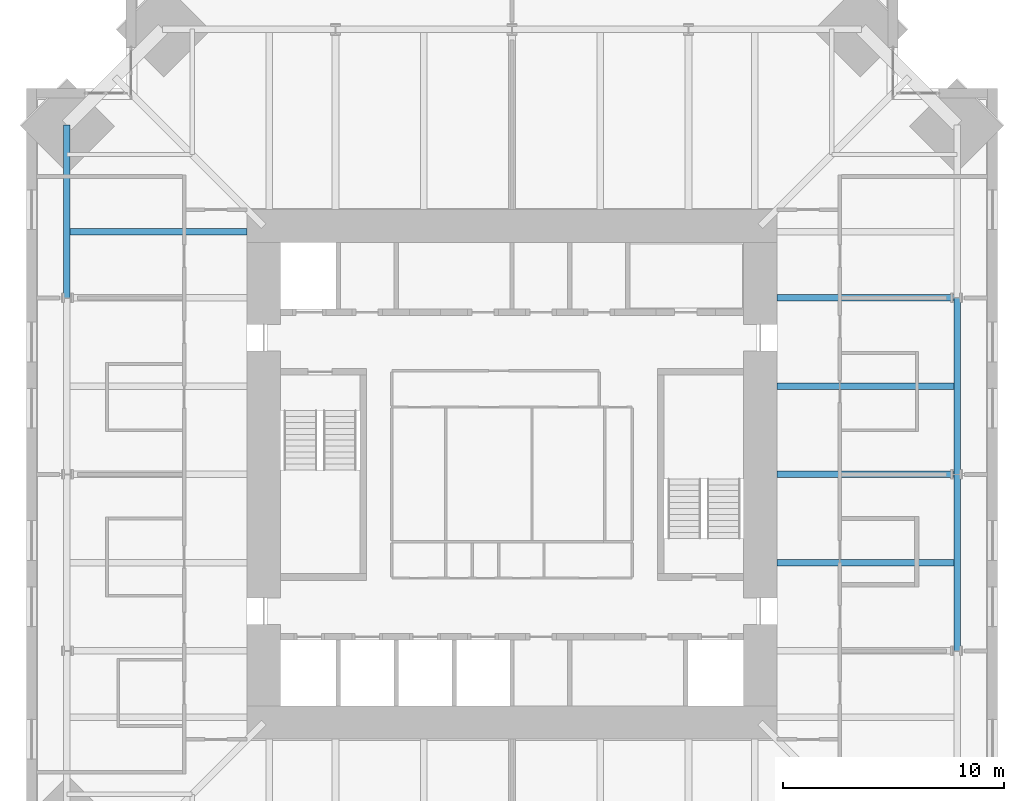
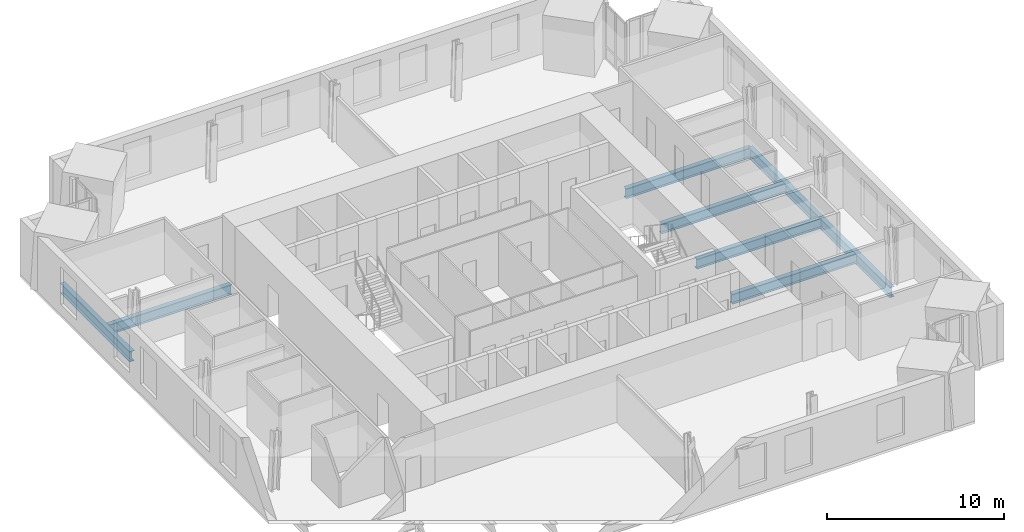
# One storey, part 5 of 16: 8 beams.
"""IFC4 building model written with IfcOpenShell, lengths in metres."""

import ifcopenshell
import ifcopenshell.guid

model = None  # the IFC model being written
_history = None  # IfcOwnerHistory: only IFC2X3 demands one
_inside = {}  # id of a spatial element -> (the spatial element, [elements in it])
_under = {}  # id of a project, library or spatial element -> (it, [spatial elements below it])
_declared = {}  # id of a project -> (the project, [libraries it declares])
_typed = {}  # id of a type object -> (the type object, [elements of that type])
_made_of = {}  # id of a material, layer set ... -> (it, [elements and type objects made of it])


def new_model(schema):
    """Start an empty IFC model of exactly this schema.

    Asked for "IFC4X3", IfcOpenShell would pick the latest addendum, in which some entities
    have other attributes; the version numbers below select the first issue.
    IFC2X3 requires an IfcOwnerHistory on every rooted entity: one is made here for all.
    """
    global model, _history
    if schema == "IFC4X3":
        model = ifcopenshell.file(schema_version=(4, 3, 0, 0))
    else:
        model = ifcopenshell.file(schema=schema)
    _inside.clear()
    _under.clear()
    _declared.clear()
    _typed.clear()
    _made_of.clear()
    _history = None
    if model.schema == "IFC2X3":
        org = make("IfcOrganization", Name="unknown")
        user = make(
            "IfcPersonAndOrganization",
            ThePerson=make("IfcPerson", FamilyName="unknown"),
            TheOrganization=org,
        )
        app = make(
            "IfcApplication",
            ApplicationDeveloper=org,
            Version="unknown",
            ApplicationFullName="unknown",
            ApplicationIdentifier="unknown",
        )
        _history = make(
            "IfcOwnerHistory",
            OwningUser=user,
            OwningApplication=app,
            ChangeAction="ADDED",
            CreationDate=0,
        )
    return model


def make(cls, **values):
    """One entity of the class cls with the attributes given. An attribute that is None is left unset."""
    return model.create_entity(
        cls, **{name: value for name, value in values.items() if value is not None}
    )


def rooted(cls, **values):
    """An entity with a GlobalId (a new one), such as an element, a storey or a relation."""
    return make(cls, GlobalId=ifcopenshell.guid.new(), OwnerHistory=_history, **values)


def si_unit(unit_type, name, prefix=None):
    """IfcSIUnit, for example si_unit("LENGTHUNIT", "METRE", prefix="MILLI")."""
    return make("IfcSIUnit", UnitType=unit_type, Prefix=prefix, Name=name)


def assignment(units):
    """IfcUnitAssignment: the units of a project."""
    return None if units is None else make("IfcUnitAssignment", Units=units)


def point(xyz):
    """IfcCartesianPoint."""
    return None if xyz is None else make("IfcCartesianPoint", Coordinates=xyz)


def direction(xyz):
    """IfcDirection."""
    return None if xyz is None else make("IfcDirection", DirectionRatios=xyz)


def frame(location, z_axis=None, x_axis=None):
    """IfcAxis2Placement3D, a coordinate frame: its origin and axes. An axis left out is left unset."""
    return make(
        "IfcAxis2Placement3D",
        Location=point(location),
        Axis=direction(z_axis),
        RefDirection=direction(x_axis),
    )


def frame_2d(location, x_axis=None):
    """IfcAxis2Placement2D, a coordinate frame in the plane: its origin and x axis."""
    return make(
        "IfcAxis2Placement2D", Location=point(location), RefDirection=direction(x_axis)
    )


def origin():
    """The frame at (0, 0, 0) with its axes left unset."""
    return frame((0.0, 0.0, 0.0))


def origin_2d():
    """The frame at (0, 0) in the plane with its x axis left unset."""
    return frame_2d((0.0, 0.0))


def place(relative_to, where):
    """IfcLocalPlacement: puts the frame where relative to a parent placement (None: the world)."""
    return make(
        "IfcLocalPlacement", PlacementRelTo=relative_to, RelativePlacement=where
    )


def context(
    kind, dimensions, precision=None, world=None, true_north=None, identifier=None
):
    """IfcGeometricRepresentationContext, for example the 3D "Model" context."""
    return make(
        "IfcGeometricRepresentationContext",
        ContextIdentifier=identifier,
        ContextType=kind,
        CoordinateSpaceDimension=dimensions,
        Precision=precision,
        WorldCoordinateSystem=world,
        TrueNorth=true_north,
    )


def subcontext(parent, identifier, kind, view, scale=None):
    """IfcGeometricRepresentationSubContext, for example "Body" below "Model"."""
    return make(
        "IfcGeometricRepresentationSubContext",
        ContextIdentifier=identifier,
        ContextType=kind,
        ParentContext=parent,
        TargetScale=scale,
        TargetView=view,
    )


def project(units=None, contexts=None):
    """IfcProject with its units and contexts."""
    return rooted(
        "IfcProject",
        Name="project",
        RepresentationContexts=contexts,
        UnitsInContext=assignment(units),
    )


def spatial(cls, under=None, at=None, **own):
    """A site, building, storey or space (cls), placed at a placement, below another one or the project."""
    s = rooted(cls, ObjectPlacement=at, **own)
    if under is not None:
        _under.setdefault(under.id(), (under, []))[1].append(s)
    return s


def profile(cls, at=None, kind="AREA", **sizes):
    """A parametric profile (cls). Its sizes go by their IFC names, for example OverallWidth=200.0."""
    return make(cls, ProfileType=kind, Position=at, **sizes)


def i_section(**sizes):
    """IfcIShapeProfileDef."""
    return profile("IfcIShapeProfileDef", **sizes)


def extrude(swept, where, along, depth):
    """IfcExtrudedAreaSolid: the profile swept, set in the frame where, extruded along a direction by depth."""
    return make(
        "IfcExtrudedAreaSolid",
        SweptArea=swept,
        Position=where,
        ExtrudedDirection=direction(along),
        Depth=depth,
    )


def shape(context_of_items, identifier, shape_type, items):
    """IfcShapeRepresentation: the items that make up one representation, for example the "Body"."""
    return make(
        "IfcShapeRepresentation",
        ContextOfItems=context_of_items,
        RepresentationIdentifier=identifier,
        RepresentationType=shape_type,
        Items=items,
    )


def material(Name=None, Category=None):
    """IfcMaterial."""
    return make("IfcMaterial", Name=Name, Category=Category)


def material_profile(
    of_material, cross_section, Name=None, Category=None, Priority=None
):
    """IfcMaterialProfile: a cross section and its material."""
    return make(
        "IfcMaterialProfile",
        Name=Name,
        Material=of_material,
        Profile=cross_section,
        Priority=Priority,
        Category=Category,
    )


def profile_set(profiles, Name=None, composite=None):
    """IfcMaterialProfileSet."""
    return make(
        "IfcMaterialProfileSet",
        Name=Name,
        MaterialProfiles=profiles,
        CompositeProfile=composite,
    )


def made_of(thing, what):
    """Note that an element or type object is made of a material, layer set ...; save() writes the relation."""
    if what is not None:
        _made_of.setdefault(what.id(), (what, []))[1].append(thing)
    return thing


def type_object(cls, material=None, **own):
    """A type object (cls), such as IfcWallType, which elements share."""
    return made_of(rooted(cls, **own), material)


def element(
    cls,
    number,
    at=None,
    inside=None,
    cuts=None,
    type_object=None,
    material=None,
    context=None,
    identifier="Body",
    shape_type=None,
    held_by="IfcProductDefinitionShape",
    body=None,
    shapes=None,
    **own,
):
    """One element of the class cls, such as IfcWall. Its Tag is "e" and its number.

    at: its placement. inside: the storey or other place that contains it. cuts: it is an
    opening in that element (IfcRelVoidsElement). A single representation is given by context,
    identifier, shape_type and body (its items); several are given by shapes. held_by: the class
    of the entity that holds the representations. save() writes the other relations.
    """
    e = rooted(cls, Tag="e%d" % number, ObjectPlacement=at, **own)
    if body is not None:
        shapes = [shape(context, identifier, shape_type, body)]
    if shapes is not None:
        e.Representation = make(held_by, Representations=shapes)
    if inside is not None:
        _inside.setdefault(inside.id(), (inside, []))[1].append(e)
    if cuts is not None:
        rooted(
            "IfcRelVoidsElement", RelatingBuildingElement=cuts, RelatedOpeningElement=e
        )
    if type_object is not None:
        _typed.setdefault(type_object.id(), (type_object, []))[1].append(e)
    return made_of(e, material)


def aggregate(whole, parts):
    """IfcRelAggregates: a whole, such as a stair, and the parts it consists of."""
    return rooted("IfcRelAggregates", RelatingObject=whole, RelatedObjects=parts)


def save(model, path):
    """Write the relations noted so far, then the file.

    IfcRelAggregates (storeys below a building ...), IfcRelContainedInSpatialStructure (elements
    in a storey), IfcRelDefinesByType, IfcRelAssociatesMaterial and IfcRelDeclares: one each for
    every whole, place, type object, material and project.
    """
    for whole, parts in _under.values():
        aggregate(whole, parts)
    for where, things in _inside.values():
        rooted(
            "IfcRelContainedInSpatialStructure",
            RelatedElements=things,
            RelatingStructure=where,
        )
    for kind, things in _typed.values():
        rooted("IfcRelDefinesByType", RelatedObjects=things, RelatingType=kind)
    for what, things in _made_of.values():
        rooted("IfcRelAssociatesMaterial", RelatedObjects=things, RelatingMaterial=what)
    for by, libraries in _declared.values():
        rooted("IfcRelDeclares", RelatingContext=by, RelatedDefinitions=libraries)
    model.write(path)


model = new_model("IFC4")

# Units and contexts
model_context = context("Model", 3, precision=1e-05, world=origin(), true_north=direction((0.0, 1.0)))
body_context = subcontext(model_context, "Body", "Model", "MODEL_VIEW")
ifc_project = project(units=[si_unit("LENGTHUNIT", "METRE"), si_unit("AREAUNIT", "SQUARE_METRE"), si_unit("VOLUMEUNIT", "CUBIC_METRE"), si_unit("PLANEANGLEUNIT", "RADIAN"), si_unit("MASSUNIT", "GRAM", prefix="KILO")], contexts=[model_context])

# Site, building, storey
site_placement = place(None, origin())
site = spatial("IfcSite", under=ifc_project, at=site_placement, CompositionType="ELEMENT")
building_placement = place(site_placement, origin())
building = spatial("IfcBuilding", under=site, at=building_placement, Name="Peilmerk Tower", CompositionType="ELEMENT")
storey_placement = place(building_placement, frame((0.0, 0.0, 265.800048828125)))
storey = spatial("IfcBuildingStorey", under=building, at=storey_placement, Name="L59", CompositionType="ELEMENT", Elevation=265.800048828125)

# Beams
ifc_material = material(Name="Steel S355", Category="steel")
ifc_material_profile_1 = material_profile(ifc_material, i_section(OverallWidth=0.300048828125, OverallDepth=0.68994140625, WebThickness=0.014404296875, FlangeThickness=0.027099609375, at=origin_2d()), Name="HEA 700")
ifc_profile_set_1 = profile_set([ifc_material_profile_1], Name="Steel S355")
beam_type_1 = type_object("IfcBeamType", Name="B16 HEA 700 floor beam", PredefinedType="BEAM", material=ifc_profile_set_1)
for number, where, z_axis, x_axis, name in (
    (1, (12.0, -4.0, -0.51513671875), (1.0, 0.0, 0.0), (0.0, 1.0, 0.0), "Floor beam L59"),
    (2, (12.0, 0.0, -0.51513671875), (1.0, 0.0, 0.0), (0.0, 1.0, 0.0), "Floor beam L59"),
    (3, (12.0, 4.0, -0.51513671875), (1.0, 0.0, 0.0), (0.0, 1.0, 0.0), "Floor beam L59"),
    (4, (12.0, 8.0, -0.51513671875), (1.0, 0.0, 0.0), (0.0, 1.0, 0.0), "Floor beam L59"),
    (5, (-12.0, 11.0, -0.51513671875), (-1.0, 0.0, 0.0), (0.0, -1.0, 0.0), "Floor beam L59"),
):
    element("IfcBeam", number, at=place(storey_placement, frame(where, z_axis=z_axis, x_axis=x_axis)), inside=storey, type_object=beam_type_1, Name=name, PredefinedType="BEAM", context=body_context, shape_type="SweptSolid", body=[
        extrude(i_section(OverallWidth=0.300048828125, OverallDepth=0.68994140625, WebThickness=0.014404296875, FlangeThickness=0.027099609375, at=origin_2d()), origin(), (0.0, 0.0, 1.0), 8.178955078125),
    ])
ifc_material_profile_2 = material_profile(ifc_material, i_section(OverallWidth=0.303955078125, OverallDepth=0.716064453125, WebThickness=0.02099609375, FlangeThickness=0.0400390625, at=origin_2d()), Name="HEM 700")
ifc_profile_set_2 = profile_set([ifc_material_profile_2], Name="Steel S355")
beam_type_2 = type_object("IfcBeamType", Name="B30 HEM 700 edge beam", PredefinedType="SPANDREL", material=ifc_profile_set_2)
for number, where, z_axis, x_axis, name in (
    (6, (20.178955078125, -8.0, -0.528076171875), (0.0, 1.0, 0.0), (-1.0, 0.0, 0.0), "Edge beam L59"),
    (7, (20.178955078125, 0.0, -0.528076171875), (0.0, 1.0, 0.0), (-1.0, 0.0, 0.0), "Edge beam L59"),
):
    element("IfcBeam", number, at=place(storey_placement, frame(where, z_axis=z_axis, x_axis=x_axis)), inside=storey, type_object=beam_type_2, Name=name, PredefinedType="SPANDREL", context=body_context, shape_type="SweptSolid", body=[
        extrude(i_section(OverallWidth=0.303955078125, OverallDepth=0.716064453125, WebThickness=0.02099609375, FlangeThickness=0.0400390625, at=origin_2d()), origin(), (0.0, 0.0, 1.0), 8.0),
    ])
beam_placement = place(storey_placement, frame((-20.178955078125, 15.8291015625, -0.528076171875), z_axis=(0.0, -1.0, 0.0), x_axis=(1.0, 0.0, 0.0)))
element("IfcBeam", 8, at=beam_placement, inside=storey, type_object=beam_type_2, Name="Edge beam L59", PredefinedType="SPANDREL", context=body_context, shape_type="SweptSolid", body=[
    extrude(i_section(OverallWidth=0.303955078125, OverallDepth=0.716064453125, WebThickness=0.02099609375, FlangeThickness=0.0400390625, at=origin_2d()), origin(), (0.0, 0.0, 1.0), 7.8291015625),
])

save(model, "model.ifc")
